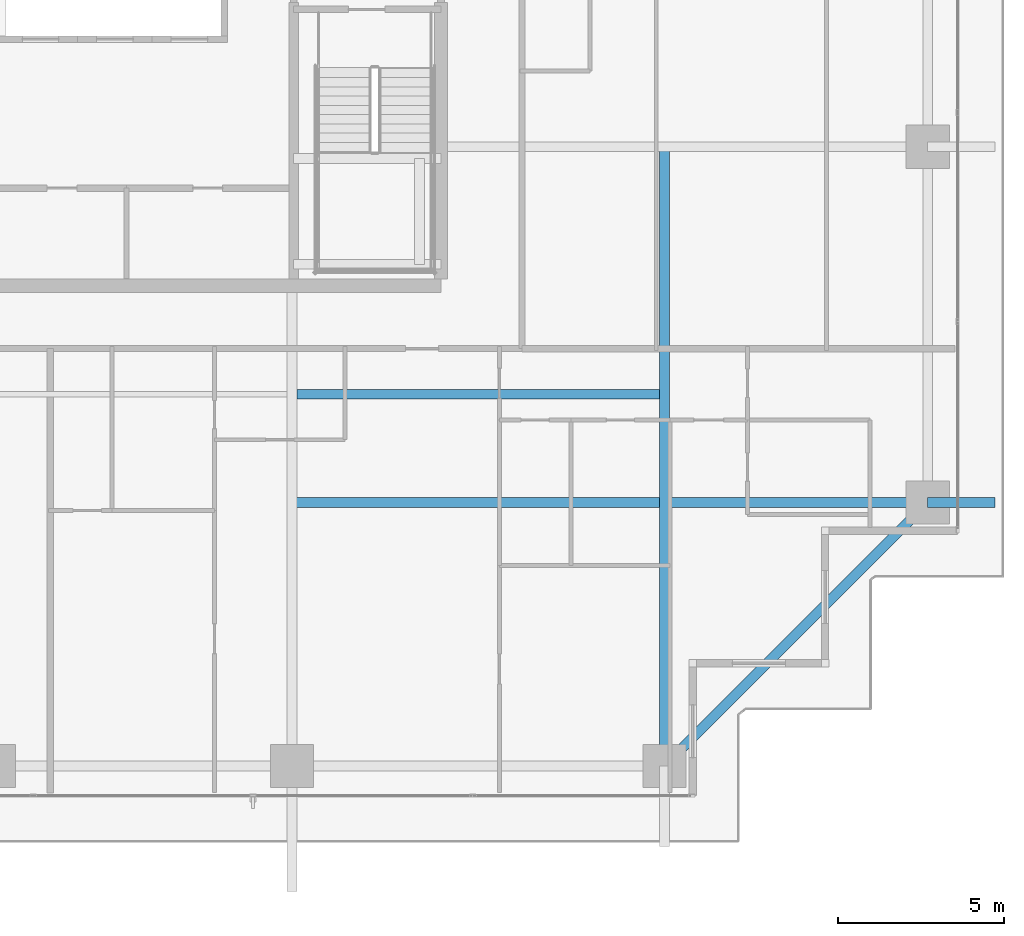
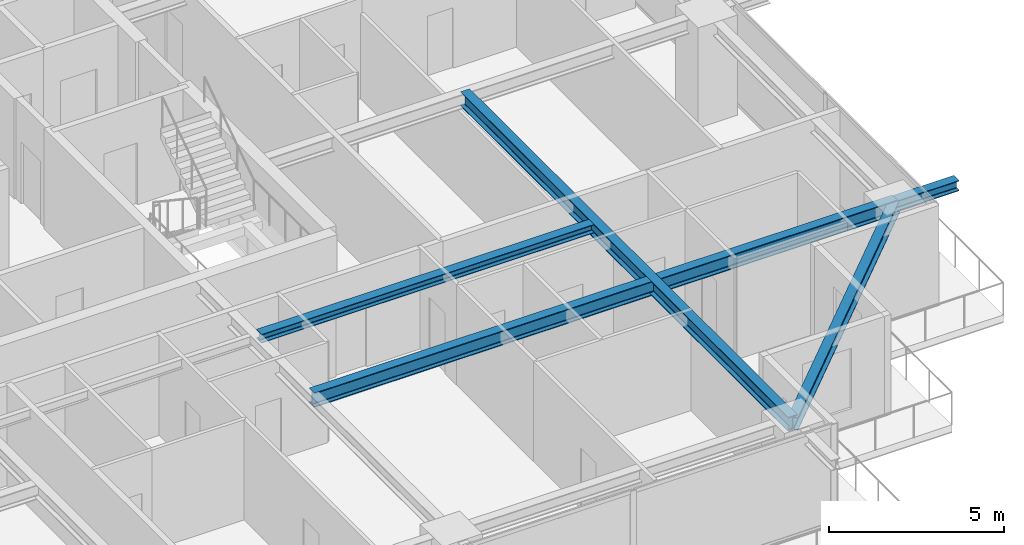
# One storey, part 13 of 39: 5 beams.
"""IFC4 building model written with IfcOpenShell, lengths in metres."""

from ifc_helpers import new_model, si_unit, direction, frame, origin, origin_2d, place, context, subcontext, project, spatial, i_section, extrude, source, transform, mapped, material, material_profile, profile_set, type_object, element, save


model = new_model("IFC4")

# Units and contexts
model_context = context("Model", 3, precision=1e-05, world=origin(), true_north=direction((0.0, 1.0)))
body_context = subcontext(model_context, "Body", "Model", "MODEL_VIEW")
ifc_project = project(units=[si_unit("LENGTHUNIT", "METRE"), si_unit("AREAUNIT", "SQUARE_METRE"), si_unit("VOLUMEUNIT", "CUBIC_METRE"), si_unit("PLANEANGLEUNIT", "RADIAN"), si_unit("MASSUNIT", "GRAM", prefix="KILO")], contexts=[model_context])

# Site, building, storey
site_placement = place(None, origin())
site = spatial("IfcSite", under=ifc_project, at=site_placement, CompositionType="ELEMENT")
building_placement = place(site_placement, origin())
building = spatial("IfcBuilding", under=site, at=building_placement, Name="Serunith Strait Residences", CompositionType="ELEMENT")
storey_placement = place(building_placement, frame((0.0, 0.0, 168.89990234375)))
storey = spatial("IfcBuildingStorey", under=building, at=storey_placement, Name="L42", CompositionType="ELEMENT", Elevation=168.89990234375)

# Beams
ifc_material = material(Name="Steel S355J2", Category="steel")
ifc_material_profile_1 = material_profile(ifc_material, i_section(OverallWidth=0.300048828125, OverallDepth=0.5, WebThickness=0.014404296875, FlangeThickness=0.028076171875, FilletRadius=0.027099609375, at=origin_2d()), Name="HEB 500")
ifc_profile_set_1 = profile_set([ifc_material_profile_1], Name="Steel S355J2")
beam_type_1 = type_object("IfcBeamType", Name="BM-HEB500", PredefinedType="BEAM", material=ifc_profile_set_1)
shared_shape_1 = source(origin(), body_context, "Body", "SweptSolid", [
    extrude(i_section(OverallWidth=0.300048828125, OverallDepth=0.5, WebThickness=0.014404296875, FlangeThickness=0.028076171875, FilletRadius=0.027099609375, at=origin_2d()), origin(), (0.0, 0.0, 1.0), 18.699951171875),
])
beam_1_placement = place(storey_placement, frame((48.14990234375, 21.0, 3.237060546875), z_axis=(0.0, -1.0, 0.0), x_axis=(1.0, 0.0, 0.0)))
element("IfcBeam", 1, at=beam_1_placement, inside=storey, type_object=beam_type_1, Name="L42 Orthogonal Corner Girder TC-S4", PredefinedType="BEAM", context=body_context, shape_type="MappedRepresentation", body=[
    mapped(shared_shape_1, transform((0.0, 0.0, 0.0), scale=1.0)),
])
shared_shape_2 = source(origin(), body_context, "Body", "SweptSolid", [
    extrude(i_section(OverallWidth=0.300048828125, OverallDepth=0.5, WebThickness=0.014404296875, FlangeThickness=0.028076171875, FilletRadius=0.027099609375, at=origin_2d()), origin(), (0.0, 0.0, 1.0), 19.2001953125),
])
beam_2_placement = place(storey_placement, frame((36.89990234375, 10.25, 3.237060546875), z_axis=(1.0, 0.0, 0.0), x_axis=(0.0, 1.0, 0.0)))
element("IfcBeam", 2, at=beam_2_placement, inside=storey, type_object=beam_type_1, Name="L42 Orthogonal Corner Girder TC-E1", PredefinedType="BEAM", context=body_context, shape_type="MappedRepresentation", body=[
    mapped(shared_shape_2, transform((0.0, 0.0, 0.0), scale=1.0)),
])
ifc_material_profile_2 = material_profile(ifc_material, i_section(OverallWidth=0.300048828125, OverallDepth=0.449951171875, WebThickness=0.013916015625, FlangeThickness=0.02587890625, FilletRadius=0.027099609375, at=origin_2d()), Name="HEB 450")
ifc_profile_set_2 = profile_set([ifc_material_profile_2], Name="Steel S355J2")
beam_type_2 = type_object("IfcBeamType", Name="BM-HEB450", PredefinedType="BEAM", material=ifc_profile_set_2)
shared_shape_3 = source(origin(), body_context, "Body", "SweptSolid", [
    extrude(i_section(OverallWidth=0.300048828125, OverallDepth=0.449951171875, WebThickness=0.013916015625, FlangeThickness=0.02587890625, FilletRadius=0.027099609375, at=origin_2d()), origin(), (0.0, 0.0, 1.0), 11.2431640625),
])
beam_3_placement = place(storey_placement, frame((48.14990234375, 2.300048828125, 3.232177734375), z_axis=(0.707117638455, 0.707095923751, 0.0), x_axis=(-0.707095923751, 0.707117638455, 0.0)))
element("IfcBeam", 3, at=beam_3_placement, inside=storey, type_object=beam_type_2, Name="L42 Perimeter Ring Beam 04", PredefinedType="BEAM", context=body_context, shape_type="MappedRepresentation", body=[
    mapped(shared_shape_3, transform((0.0, 0.0, 0.0), scale=1.0)),
])
ifc_material_profile_3 = material_profile(ifc_material, i_section(OverallWidth=0.300048828125, OverallDepth=0.360107421875, WebThickness=0.012451171875, FlangeThickness=0.0224609375, FilletRadius=0.027099609375, at=origin_2d()), Name="HEB 360")
ifc_profile_set_3 = profile_set([ifc_material_profile_3], Name="Steel S355J2")
beam_type_3 = type_object("IfcBeamType", Name="BM-HEB360", PredefinedType="BEAM", material=ifc_profile_set_3)
shared_shape_4 = source(origin(), body_context, "Body", "SweptSolid", [
    extrude(i_section(OverallWidth=0.300048828125, OverallDepth=0.360107421875, WebThickness=0.012451171875, FlangeThickness=0.0224609375, FilletRadius=0.027099609375, at=origin_2d()), origin(), (0.0, 0.0, 1.0), 2.02978515625),
])
beam_4_placement = place(storey_placement, frame((56.10009765625, 10.25, 3.277099609375), z_axis=(1.0, 0.0, 0.0), x_axis=(0.0, 1.0, 0.0)))
element("IfcBeam", 4, at=beam_4_placement, inside=storey, type_object=beam_type_3, Name="L43 Cantilevered Balcony Rib TC-E1", PredefinedType="BEAM", context=body_context, shape_type="MappedRepresentation", body=[
    mapped(shared_shape_4, transform((0.0, 0.0, 0.0), scale=1.0)),
])
ifc_material_profile_4 = material_profile(ifc_material, i_section(OverallWidth=0.300048828125, OverallDepth=0.300048828125, WebThickness=0.010986328125, FlangeThickness=0.01904296875, FilletRadius=0.027099609375, at=origin_2d()), Name="HEB 300")
ifc_profile_set_4 = profile_set([ifc_material_profile_4], Name="Steel S355J2")
beam_type_4 = type_object("IfcBeamType", Name="BM-HEB300", PredefinedType="JOIST", material=ifc_profile_set_4)
shared_shape_5 = source(origin(), body_context, "Body", "SweptSolid", [
    extrude(i_section(OverallWidth=0.300048828125, OverallDepth=0.300048828125, WebThickness=0.010986328125, FlangeThickness=0.01904296875, FilletRadius=0.027099609375, at=origin_2d()), origin(), (0.0, 0.0, 1.0), 10.949951171875),
])
beam_5_placement = place(storey_placement, frame((37.050048828125, 13.52490234375, 3.337158203125), z_axis=(1.0, 0.0, 0.0), x_axis=(0.0, 1.0, 0.0)))
element("IfcBeam", 5, at=beam_5_placement, inside=storey, type_object=beam_type_4, Name="L42 Composite Floor Joist 03", PredefinedType="JOIST", context=body_context, shape_type="MappedRepresentation", body=[
    mapped(shared_shape_5, transform((0.0, 0.0, 0.0), scale=1.0)),
])

save(model, "model.ifc")
